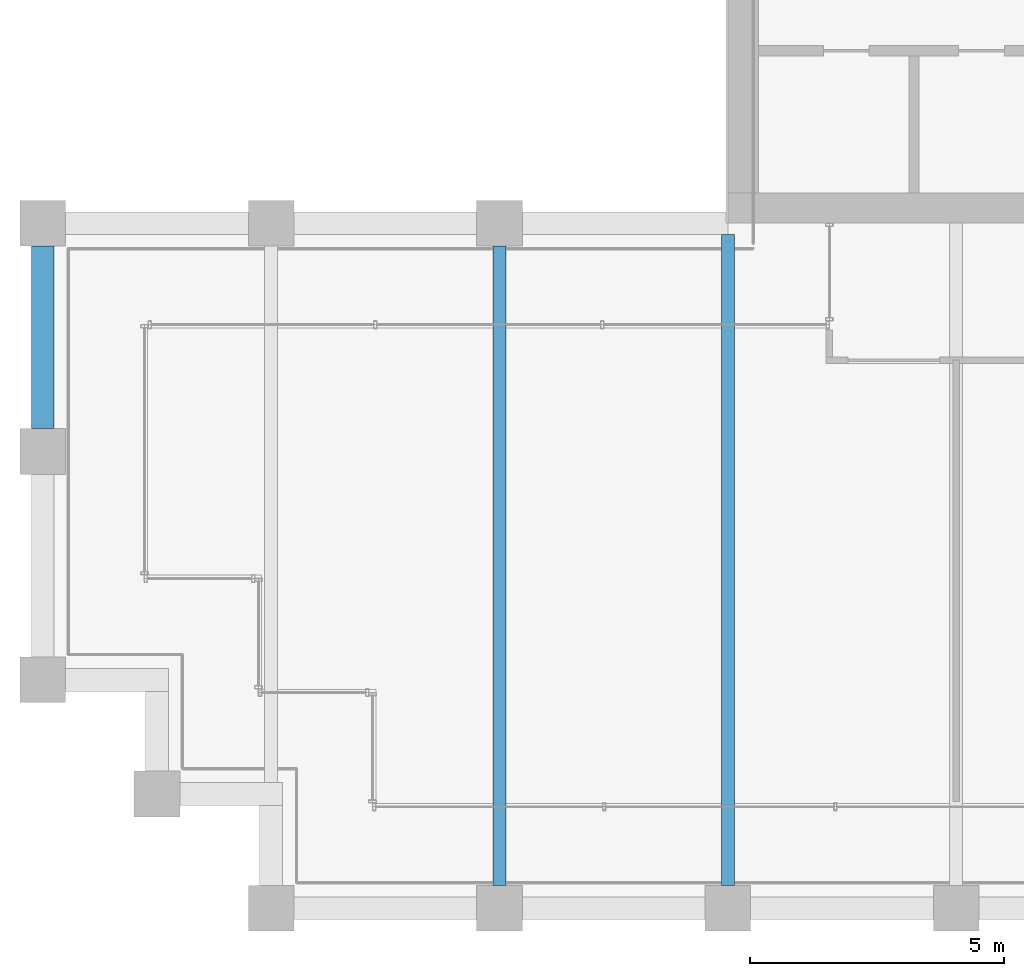
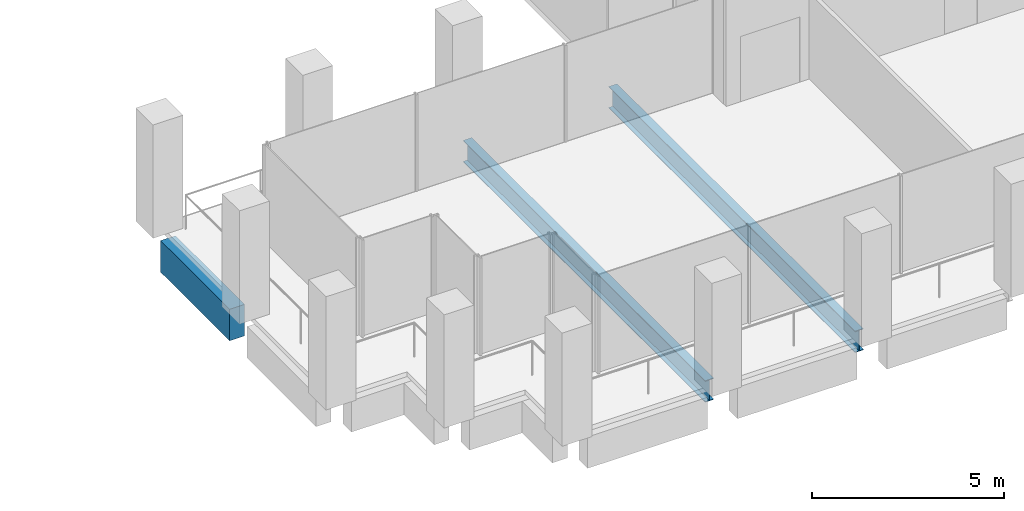
# One storey, part 4 of 40: 3 beams.
"""IFC4 building model written with IfcOpenShell, lengths in metres."""

from ifc_helpers import new_model, si_unit, direction, frame, origin, origin_2d, place, context, subcontext, project, spatial, rectangle, i_section, extrude, material, material_profile, profile_set, type_object, element, save


model = new_model("IFC4")

# Units and contexts
model_context = context("Model", 3, precision=1e-05, world=origin(), true_north=direction((0.0, 1.0)))
body_context = subcontext(model_context, "Body", "Model", "MODEL_VIEW")
ifc_project = project(units=[si_unit("LENGTHUNIT", "METRE"), si_unit("AREAUNIT", "SQUARE_METRE"), si_unit("VOLUMEUNIT", "CUBIC_METRE"), si_unit("PLANEANGLEUNIT", "RADIAN"), si_unit("MASSUNIT", "GRAM", prefix="KILO")], contexts=[model_context])

# Site, building, storey
site_placement = place(None, origin())
site = spatial("IfcSite", under=ifc_project, at=site_placement, CompositionType="ELEMENT")
building_placement = place(site_placement, origin())
building = spatial("IfcBuilding", under=site, at=building_placement, Name="Altepetl Exchange Towers", CompositionType="ELEMENT")
storey_placement = place(building_placement, frame((0.0, 0.0, 169.0)))
storey = spatial("IfcBuildingStorey", under=building, at=storey_placement, Name="L42", CompositionType="ELEMENT", Elevation=169.0)

# Beams
ifc_material_1 = material(Name="Steel S355", Category="steel")
ifc_material_profile_1 = material_profile(ifc_material_1, i_section(OverallWidth=0.25390625, OverallDepth=0.68408203125, WebThickness=0.012451171875, FlangeThickness=0.018798828125, at=origin_2d()), Name="W27X94")
ifc_profile_set_1 = profile_set([ifc_material_profile_1], Name="Steel S355")
beam_type_1 = type_object("IfcBeamType", Name="Floor beam W27X94", PredefinedType="BEAM", material=ifc_profile_set_1)
beam_1_placement = place(storey_placement, frame((36.0, 27.449951171875, -0.491943359375), z_axis=(0.0, 1.0, 0.0), x_axis=(-1.0, 0.0, 0.0)))
element("IfcBeam", 1, at=beam_1_placement, inside=storey, type_object=beam_type_1, Name="bm:A:L42:013", PredefinedType="BEAM", context=body_context, shape_type="SweptSolid", body=[
    extrude(i_section(OverallWidth=0.25390625, OverallDepth=0.68408203125, WebThickness=0.012451171875, FlangeThickness=0.018798828125, at=origin_2d()), origin(), (0.0, 0.0, 1.0), 12.60009765625),
])
beam_2_placement = place(storey_placement, frame((40.5, 27.449951171875, -0.491943359375), z_axis=(0.0, 1.0, 0.0), x_axis=(-1.0, 0.0, 0.0)))
element("IfcBeam", 2, at=beam_2_placement, inside=storey, type_object=beam_type_1, Name="bm:A:L42:014", PredefinedType="BEAM", context=body_context, shape_type="SweptSolid", body=[
    extrude(i_section(OverallWidth=0.25390625, OverallDepth=0.68408203125, WebThickness=0.012451171875, FlangeThickness=0.018798828125, at=origin_2d()), origin(), (0.0, 0.0, 1.0), 12.824951171875),
])
ifc_material_2 = material(Name="Concrete C50/60 precast with cantera blanca facing", Category="concrete")
ifc_material_profile_2 = material_profile(ifc_material_2, rectangle(XDim=0.449951171875, YDim=1.0, at=origin_2d()), Name="450 x 1000")
ifc_profile_set_2 = profile_set([ifc_material_profile_2], Name="Concrete C50/60 precast with cantera blanca facing")
beam_type_2 = type_object("IfcBeamType", Name="Spandrel beam 450x1000 cantera blanca", PredefinedType="SPANDREL", material=ifc_profile_set_2)
beam_3_placement = place(storey_placement, frame((27.0, 40.050048828125, -0.64990234375), z_axis=(0.0, -1.0, 0.0), x_axis=(1.0, 0.0, 0.0)))
element("IfcBeam", 3, at=beam_3_placement, inside=storey, type_object=beam_type_2, Name="sp:A:L42:036", PredefinedType="SPANDREL", context=body_context, shape_type="SweptSolid", body=[
    extrude(rectangle(XDim=0.449951171875, YDim=1.0, at=origin_2d()), origin(), (0.0, 0.0, 1.0), 3.60009765625),
])

save(model, "model.ifc")
